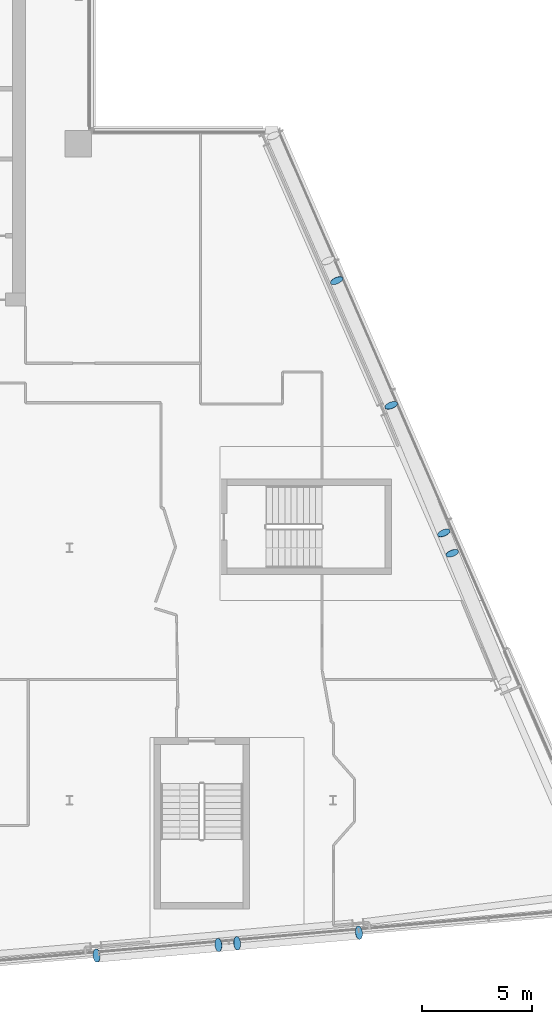
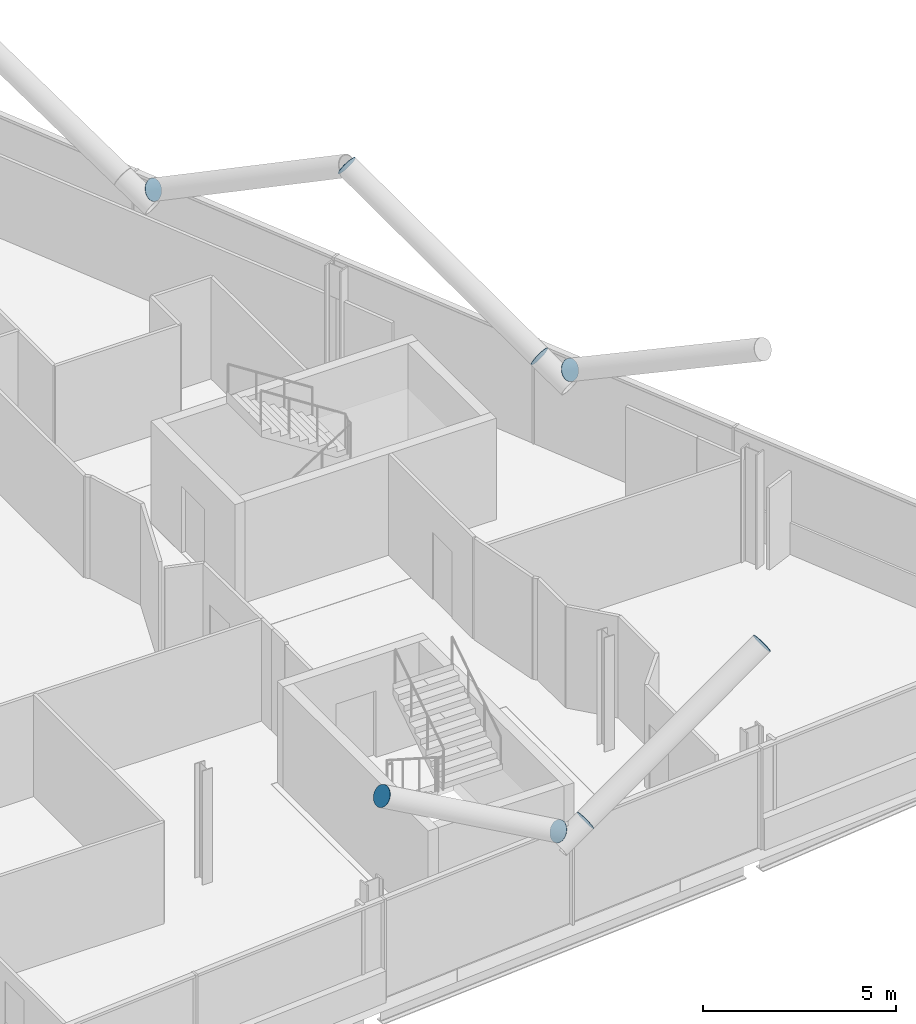
# One storey, part 23 of 28: 8 discrete accessories.
"""IFC4 building model written with IfcOpenShell, lengths in metres."""

import ifcopenshell
import ifcopenshell.guid

model = None  # the IFC model being written
_history = None  # IfcOwnerHistory: only IFC2X3 demands one
_inside = {}  # id of a spatial element -> (the spatial element, [elements in it])
_under = {}  # id of a project, library or spatial element -> (it, [spatial elements below it])
_declared = {}  # id of a project -> (the project, [libraries it declares])
_typed = {}  # id of a type object -> (the type object, [elements of that type])
_made_of = {}  # id of a material, layer set ... -> (it, [elements and type objects made of it])


def new_model(schema):
    """Start an empty IFC model of exactly this schema.

    Asked for "IFC4X3", IfcOpenShell would pick the latest addendum, in which some entities
    have other attributes; the version numbers below select the first issue.
    IFC2X3 requires an IfcOwnerHistory on every rooted entity: one is made here for all.
    """
    global model, _history
    if schema == "IFC4X3":
        model = ifcopenshell.file(schema_version=(4, 3, 0, 0))
    else:
        model = ifcopenshell.file(schema=schema)
    _inside.clear()
    _under.clear()
    _declared.clear()
    _typed.clear()
    _made_of.clear()
    _history = None
    if model.schema == "IFC2X3":
        org = make("IfcOrganization", Name="unknown")
        user = make(
            "IfcPersonAndOrganization",
            ThePerson=make("IfcPerson", FamilyName="unknown"),
            TheOrganization=org,
        )
        app = make(
            "IfcApplication",
            ApplicationDeveloper=org,
            Version="unknown",
            ApplicationFullName="unknown",
            ApplicationIdentifier="unknown",
        )
        _history = make(
            "IfcOwnerHistory",
            OwningUser=user,
            OwningApplication=app,
            ChangeAction="ADDED",
            CreationDate=0,
        )
    return model


def make(cls, **values):
    """One entity of the class cls with the attributes given. An attribute that is None is left unset."""
    return model.create_entity(
        cls, **{name: value for name, value in values.items() if value is not None}
    )


def rooted(cls, **values):
    """An entity with a GlobalId (a new one), such as an element, a storey or a relation."""
    return make(cls, GlobalId=ifcopenshell.guid.new(), OwnerHistory=_history, **values)


def si_unit(unit_type, name, prefix=None):
    """IfcSIUnit, for example si_unit("LENGTHUNIT", "METRE", prefix="MILLI")."""
    return make("IfcSIUnit", UnitType=unit_type, Prefix=prefix, Name=name)


def assignment(units):
    """IfcUnitAssignment: the units of a project."""
    return None if units is None else make("IfcUnitAssignment", Units=units)


def point(xyz):
    """IfcCartesianPoint."""
    return None if xyz is None else make("IfcCartesianPoint", Coordinates=xyz)


def direction(xyz):
    """IfcDirection."""
    return None if xyz is None else make("IfcDirection", DirectionRatios=xyz)


def frame(location, z_axis=None, x_axis=None):
    """IfcAxis2Placement3D, a coordinate frame: its origin and axes. An axis left out is left unset."""
    return make(
        "IfcAxis2Placement3D",
        Location=point(location),
        Axis=direction(z_axis),
        RefDirection=direction(x_axis),
    )


def frame_2d(location, x_axis=None):
    """IfcAxis2Placement2D, a coordinate frame in the plane: its origin and x axis."""
    return make(
        "IfcAxis2Placement2D", Location=point(location), RefDirection=direction(x_axis)
    )


def origin():
    """The frame at (0, 0, 0) with its axes left unset."""
    return frame((0.0, 0.0, 0.0))


def origin_2d():
    """The frame at (0, 0) in the plane with its x axis left unset."""
    return frame_2d((0.0, 0.0))


def place(relative_to, where):
    """IfcLocalPlacement: puts the frame where relative to a parent placement (None: the world)."""
    return make(
        "IfcLocalPlacement", PlacementRelTo=relative_to, RelativePlacement=where
    )


def context(
    kind, dimensions, precision=None, world=None, true_north=None, identifier=None
):
    """IfcGeometricRepresentationContext, for example the 3D "Model" context."""
    return make(
        "IfcGeometricRepresentationContext",
        ContextIdentifier=identifier,
        ContextType=kind,
        CoordinateSpaceDimension=dimensions,
        Precision=precision,
        WorldCoordinateSystem=world,
        TrueNorth=true_north,
    )


def subcontext(parent, identifier, kind, view, scale=None):
    """IfcGeometricRepresentationSubContext, for example "Body" below "Model"."""
    return make(
        "IfcGeometricRepresentationSubContext",
        ContextIdentifier=identifier,
        ContextType=kind,
        ParentContext=parent,
        TargetScale=scale,
        TargetView=view,
    )


def project(units=None, contexts=None):
    """IfcProject with its units and contexts."""
    return rooted(
        "IfcProject",
        Name="project",
        RepresentationContexts=contexts,
        UnitsInContext=assignment(units),
    )


def spatial(cls, under=None, at=None, **own):
    """A site, building, storey or space (cls), placed at a placement, below another one or the project."""
    s = rooted(cls, ObjectPlacement=at, **own)
    if under is not None:
        _under.setdefault(under.id(), (under, []))[1].append(s)
    return s


def profile(cls, at=None, kind="AREA", **sizes):
    """A parametric profile (cls). Its sizes go by their IFC names, for example OverallWidth=200.0."""
    return make(cls, ProfileType=kind, Position=at, **sizes)


def circle(**sizes):
    """IfcCircleProfileDef."""
    return profile("IfcCircleProfileDef", **sizes)


def extrude(swept, where, along, depth):
    """IfcExtrudedAreaSolid: the profile swept, set in the frame where, extruded along a direction by depth."""
    return make(
        "IfcExtrudedAreaSolid",
        SweptArea=swept,
        Position=where,
        ExtrudedDirection=direction(along),
        Depth=depth,
    )


def shape(context_of_items, identifier, shape_type, items):
    """IfcShapeRepresentation: the items that make up one representation, for example the "Body"."""
    return make(
        "IfcShapeRepresentation",
        ContextOfItems=context_of_items,
        RepresentationIdentifier=identifier,
        RepresentationType=shape_type,
        Items=items,
    )


def material(Name=None, Category=None):
    """IfcMaterial."""
    return make("IfcMaterial", Name=Name, Category=Category)


def material_profile(
    of_material, cross_section, Name=None, Category=None, Priority=None
):
    """IfcMaterialProfile: a cross section and its material."""
    return make(
        "IfcMaterialProfile",
        Name=Name,
        Material=of_material,
        Profile=cross_section,
        Priority=Priority,
        Category=Category,
    )


def profile_set(profiles, Name=None, composite=None):
    """IfcMaterialProfileSet."""
    return make(
        "IfcMaterialProfileSet",
        Name=Name,
        MaterialProfiles=profiles,
        CompositeProfile=composite,
    )


def made_of(thing, what):
    """Note that an element or type object is made of a material, layer set ...; save() writes the relation."""
    if what is not None:
        _made_of.setdefault(what.id(), (what, []))[1].append(thing)
    return thing


def type_object(cls, material=None, **own):
    """A type object (cls), such as IfcWallType, which elements share."""
    return made_of(rooted(cls, **own), material)


def element(
    cls,
    number,
    at=None,
    inside=None,
    cuts=None,
    type_object=None,
    material=None,
    context=None,
    identifier="Body",
    shape_type=None,
    held_by="IfcProductDefinitionShape",
    body=None,
    shapes=None,
    **own,
):
    """One element of the class cls, such as IfcWall. Its Tag is "e" and its number.

    at: its placement. inside: the storey or other place that contains it. cuts: it is an
    opening in that element (IfcRelVoidsElement). A single representation is given by context,
    identifier, shape_type and body (its items); several are given by shapes. held_by: the class
    of the entity that holds the representations. save() writes the other relations.
    """
    e = rooted(cls, Tag="e%d" % number, ObjectPlacement=at, **own)
    if body is not None:
        shapes = [shape(context, identifier, shape_type, body)]
    if shapes is not None:
        e.Representation = make(held_by, Representations=shapes)
    if inside is not None:
        _inside.setdefault(inside.id(), (inside, []))[1].append(e)
    if cuts is not None:
        rooted(
            "IfcRelVoidsElement", RelatingBuildingElement=cuts, RelatedOpeningElement=e
        )
    if type_object is not None:
        _typed.setdefault(type_object.id(), (type_object, []))[1].append(e)
    return made_of(e, material)


def aggregate(whole, parts):
    """IfcRelAggregates: a whole, such as a stair, and the parts it consists of."""
    return rooted("IfcRelAggregates", RelatingObject=whole, RelatedObjects=parts)


def save(model, path):
    """Write the relations noted so far, then the file.

    IfcRelAggregates (storeys below a building ...), IfcRelContainedInSpatialStructure (elements
    in a storey), IfcRelDefinesByType, IfcRelAssociatesMaterial and IfcRelDeclares: one each for
    every whole, place, type object, material and project.
    """
    for whole, parts in _under.values():
        aggregate(whole, parts)
    for where, things in _inside.values():
        rooted(
            "IfcRelContainedInSpatialStructure",
            RelatedElements=things,
            RelatingStructure=where,
        )
    for kind, things in _typed.values():
        rooted("IfcRelDefinesByType", RelatedObjects=things, RelatingType=kind)
    for what, things in _made_of.values():
        rooted("IfcRelAssociatesMaterial", RelatedObjects=things, RelatingMaterial=what)
    for by, libraries in _declared.values():
        rooted("IfcRelDeclares", RelatingContext=by, RelatedDefinitions=libraries)
    model.write(path)


model = new_model("IFC4")

# Units and contexts
model_context = context("Model", 3, precision=1e-05, world=origin(), true_north=direction((0.0, 1.0)))
body_context = subcontext(model_context, "Body", "Model", "MODEL_VIEW")
ifc_project = project(units=[si_unit("LENGTHUNIT", "METRE"), si_unit("AREAUNIT", "SQUARE_METRE"), si_unit("VOLUMEUNIT", "CUBIC_METRE"), si_unit("PLANEANGLEUNIT", "RADIAN"), si_unit("MASSUNIT", "GRAM", prefix="KILO")], contexts=[model_context])

# Site, building, storey
site_placement = place(None, origin())
site = spatial("IfcSite", under=ifc_project, at=site_placement, CompositionType="ELEMENT")
building_placement = place(site_placement, origin())
building = spatial("IfcBuilding", under=site, at=building_placement, Name="Wharfspan Tower", CompositionType="ELEMENT")
storey_placement = place(building_placement, frame((0.0, 0.0, 253.899902)))
storey = spatial("IfcBuildingStorey", under=building, at=storey_placement, Name="L64", CompositionType="ELEMENT", Elevation=253.899902)

# Discrete accessories
ifc_material = material(Name="Steel S460NH", Category="steel")
ifc_material_profile = material_profile(ifc_material, circle(Radius=0.304932, at=origin_2d()))
ifc_profile_set = profile_set([ifc_material_profile], Name="Steel S460NH")
discrete_accessory_type = type_object("IfcDiscreteAccessoryType", Name="End plate CHS 610x25", PredefinedType="BRACKET", material=ifc_profile_set)
for number, where, z_axis, x_axis, name in (
    (1, (67.629883, 4.984863, 3.154297), (0.855186, 0.073302, 0.513112), (-0.085402, 0.996345, 1e-06), "End plate CHS 610x25"),
    (2, (73.175049, 5.469971, 6.5), (0.853405, 0.097532, 0.512043), (-0.113547, 0.993531, 1e-06), "End plate CHS 610x25"),
    (3, (66.787109, 4.911133, 3.154297), (-0.855186, -0.073302, 0.513112), (0.085402, -0.996345, 1e-06), "End plate CHS 610x25"),
    (4, (61.241943, 4.426025, 6.5), (-0.855186, -0.073302, 0.513112), (0.085402, -0.996345, 1e-06), "End plate CHS 610x25"),
    (5, (77.051025, 23.666992, 3.162842), (-0.345075, 0.81339, 0.468316), (-0.920586, -0.390551, -2e-06), "End plate CHS 610x25"),
):
    element("IfcDiscreteAccessory", number, at=place(storey_placement, frame(where, z_axis=z_axis, x_axis=x_axis)), inside=storey, type_object=discrete_accessory_type, Name=name, PredefinedType="BRACKET", context=body_context, shape_type="SweptSolid", body=[
        extrude(circle(Radius=0.304932, at=origin_2d()), origin(), (0.0, 0.0, 1.0), 0.01001),
    ])
discrete_accessory_placement = place(storey_placement, frame((74.652588, 29.476318, 6.5), z_axis=(-0.313003, 0.818624, 0.481543), x_axis=(-0.934053, -0.357137, -1e-06)))
element("IfcDiscreteAccessory", 6, at=discrete_accessory_placement, inside=storey, type_object=discrete_accessory_type, Name="End plate CHS 610x25", PredefinedType="BRACKET", context=body_context, shape_type="SweptSolid", body=[
    extrude(circle(Radius=0.304932, at=origin_2d()), origin(), (0.0, 0.0, 1.0), 0.010254),
])
for number, where, z_axis, x_axis, name in (
    (7, (77.428711, 22.752441, 3.162842), (0.316603, -0.828038, 0.462727), (0.934054, 0.357138, -1e-06), "End plate CHS 610x25"),
    (8, (72.163818, 35.168213, 3.162109), (0.366508, -0.806318, 0.464244), (0.910368, 0.413804, 1e-06), "End plate CHS 610x25"),
):
    element("IfcDiscreteAccessory", number, at=place(storey_placement, frame(where, z_axis=z_axis, x_axis=x_axis)), inside=storey, type_object=discrete_accessory_type, Name=name, PredefinedType="BRACKET", context=body_context, shape_type="SweptSolid", body=[
        extrude(circle(Radius=0.304932, at=origin_2d()), origin(), (0.0, 0.0, 1.0), 0.01001),
    ])

save(model, "model.ifc")
